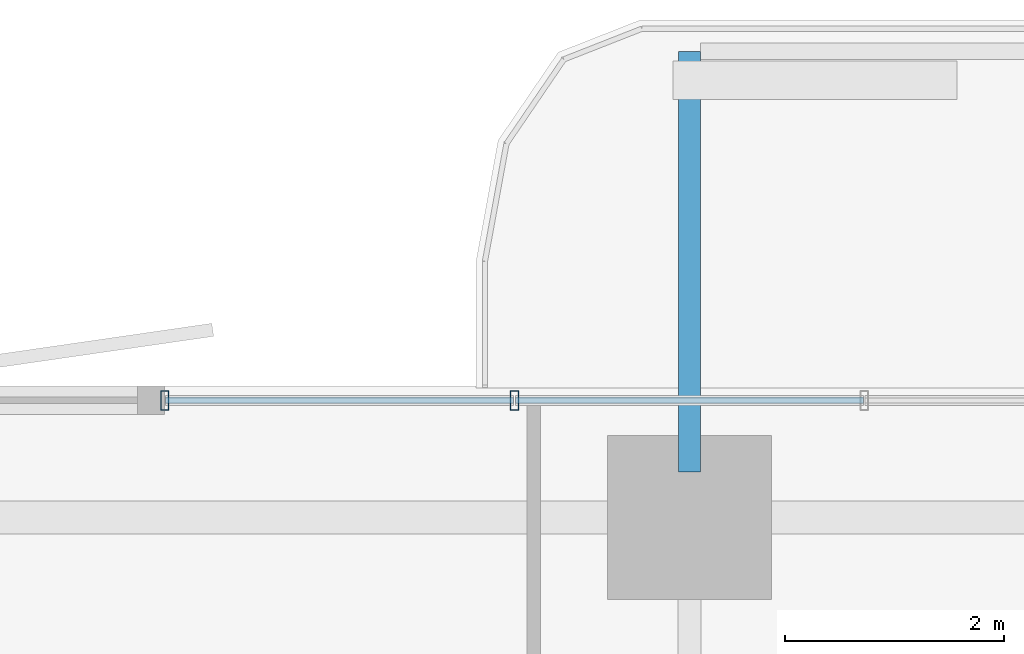
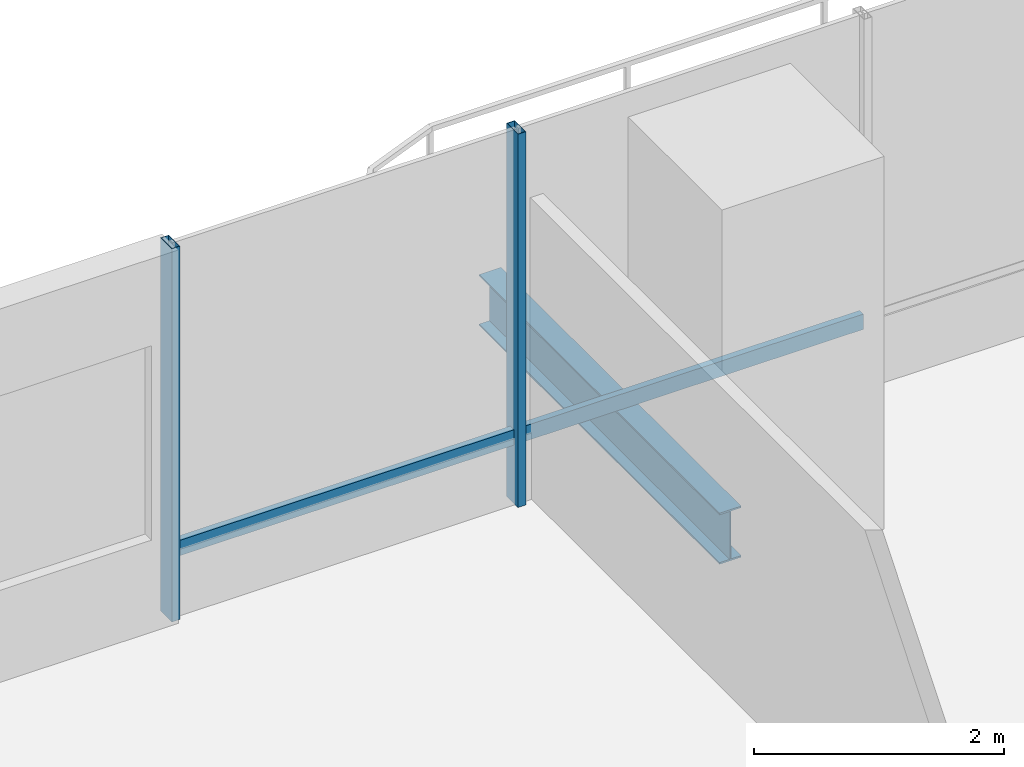
# One storey, part 11 of 23: 4 members, 1 beam, 1 element without a shape of its own.
"""IFC4 building model written with IfcOpenShell, lengths in metres."""

from ifc_helpers import new_model, si_unit, direction, frame, origin, origin_2d, place, context, subcontext, project, spatial, hollow_rectangle, i_section, extrude, material, layer, layer_set, material_profile, profile_set, type_object, element, aggregate, save


model = new_model("IFC4")

# Units and contexts
model_context = context("Model", 3, precision=1e-05, world=origin(), true_north=direction((0.0, 1.0)))
body_context = subcontext(model_context, "Body", "Model", "MODEL_VIEW")
ifc_project = project(units=[si_unit("LENGTHUNIT", "METRE"), si_unit("AREAUNIT", "SQUARE_METRE"), si_unit("VOLUMEUNIT", "CUBIC_METRE"), si_unit("PLANEANGLEUNIT", "RADIAN"), si_unit("MASSUNIT", "GRAM", prefix="KILO")], contexts=[model_context])

# Site, building, storey
site_placement = place(None, origin())
site = spatial("IfcSite", under=ifc_project, at=site_placement, CompositionType="ELEMENT")
building_placement = place(site_placement, origin())
building = spatial("IfcBuilding", under=site, at=building_placement, Name="Belovzor Exchange Tower", CompositionType="ELEMENT")
storey_placement = place(building_placement, frame((0.0, 0.0, 76.800048828125)))
storey = spatial("IfcBuildingStorey", under=building, at=storey_placement, Name="L18", CompositionType="ELEMENT", Elevation=76.800048828125)

# Beam
ifc_material_1 = material(Name="Steel S355", Category="steel")
ifc_material_profile_1 = material_profile(ifc_material_1, i_section(OverallWidth=0.199951171875, OverallDepth=0.5, WebThickness=0.01025390625, FlangeThickness=0.01611328125, at=origin_2d()))
ifc_profile_set_1 = profile_set([ifc_material_profile_1], Name="Steel S355")
beam_type = type_object("IfcBeamType", Name="Planted Balcony Cantilever Beam IPE 500", PredefinedType="BEAM", material=ifc_profile_set_1)
beam_placement = place(storey_placement, frame((28.800048828125, 55.9130859375, -0.5), z_axis=(0.0, 1.0, 0.0), x_axis=(-1.0, 0.0, 0.0)))
element("IfcBeam", 1, at=beam_placement, inside=storey, type_object=beam_type, Name="BC-500 Planted Balcony Cantilever Beam IPE 500", PredefinedType="BEAM", context=body_context, shape_type="SweptSolid", body=[
    extrude(i_section(OverallWidth=0.199951171875, OverallDepth=0.5, WebThickness=0.01025390625, FlangeThickness=0.01611328125, at=origin_2d()), origin(), (0.0, 0.0, 1.0), 3.849853515625),
])

# Curtain wall, members
ifc_material_2 = material(Name="Anodised Aluminium Framing", Category="aluminium")
ifc_layer = layer(ifc_material_2, 0.179931640625)
ifc_layer_set = layer_set([ifc_layer], Name="Anodised Aluminium Framing")
curtain_wall_type = type_object("IfcCurtainWallType", Name="Recessed Loggia Low-Iron Triple-Glazed Curtain Wall", PredefinedType="NOTDEFINED", material=ifc_layer_set)
curtain_wall_placement = place(storey_placement, origin())
curtain_wall = element("IfcCurtainWall", 2, at=curtain_wall_placement, inside=storey, type_object=curtain_wall_type, Name="CW3 Recessed Loggia Low-Iron Triple-Glazed Curtain Wall L18", PredefinedType="NOTDEFINED")
ifc_material_3 = material(Name="Steel S355", Category="steel")
ifc_material_profile_2 = material_profile(ifc_material_3, hollow_rectangle(XDim=0.074951171875, YDim=0.179931640625, WallThickness=0.0048828125, at=origin_2d()))
ifc_profile_set_2 = profile_set([ifc_material_profile_2], Name="Steel S355")
member_type_1 = type_object("IfcMemberType", Name="Thermally Broken Curtain Wall Mullion 180x75", PredefinedType="MULLION", material=ifc_profile_set_2)
member_1_placement = place(storey_placement, frame((24.0, 56.570068359375, 0.0), z_axis=(0.0, 0.0, 1.0), x_axis=(1.0, 0.0, 0.0)))
member_1 = element("IfcMember", 3, at=member_1_placement, type_object=member_type_1, Name="CW-M180 Curtain Wall Mullion 1", PredefinedType="MULLION", context=body_context, shape_type="SweptSolid", body=[
    extrude(hollow_rectangle(XDim=0.074951171875, YDim=0.179931640625, WallThickness=0.0048828125, at=origin_2d()), origin(), (0.0, 0.0, 1.0), 3.64990234375),
])
member_2_placement = place(storey_placement, frame((27.199951171875, 56.570068359375, 0.0), z_axis=(0.0, 0.0, 1.0), x_axis=(1.0, 0.0, 0.0)))
member_2 = element("IfcMember", 4, at=member_2_placement, type_object=member_type_1, Name="CW-M180 Curtain Wall Mullion 2", PredefinedType="MULLION", context=body_context, shape_type="SweptSolid", body=[
    extrude(hollow_rectangle(XDim=0.074951171875, YDim=0.179931640625, WallThickness=0.0048828125, at=origin_2d()), origin(), (0.0, 0.0, 1.0), 3.64990234375),
])
ifc_material_4 = material(Name="Steel S355", Category="steel")
ifc_material_profile_3 = material_profile(ifc_material_4, hollow_rectangle(XDim=0.06005859375, YDim=0.14990234375, WallThickness=0.00390625, at=origin_2d()))
ifc_profile_set_3 = profile_set([ifc_material_profile_3], Name="Steel S355")
member_type_2 = type_object("IfcMemberType", Name="Thermally Broken Curtain Wall Transom 150x60", PredefinedType="USERDEFINED", material=ifc_profile_set_3)
member_3_placement = place(storey_placement, frame((24.008056640625, 56.570068359375, 0.64990234375), z_axis=(1.0, 0.0, 0.0), x_axis=(0.0, 1.0, 0.0)))
member_3 = element("IfcMember", 5, at=member_3_placement, type_object=member_type_2, Name="CW-T150 Curtain Wall Transom 1", ObjectType="TRANSOM", PredefinedType="USERDEFINED", context=body_context, shape_type="SweptSolid", body=[
    extrude(hollow_rectangle(XDim=0.06005859375, YDim=0.14990234375, WallThickness=0.00390625, at=origin_2d()), origin(), (0.0, 0.0, 1.0), 3.183837890625),
])
member_4_placement = place(storey_placement, frame((27.2080078125, 56.570068359375, 0.64990234375), z_axis=(1.0, 0.0, 0.0), x_axis=(0.0, 1.0, 0.0)))
member_4 = element("IfcMember", 6, at=member_4_placement, type_object=member_type_2, Name="CW-T150 Curtain Wall Transom 2", ObjectType="TRANSOM", PredefinedType="USERDEFINED", context=body_context, shape_type="SweptSolid", body=[
    extrude(hollow_rectangle(XDim=0.06005859375, YDim=0.14990234375, WallThickness=0.00390625, at=origin_2d()), origin(), (0.0, 0.0, 1.0), 3.18408203125),
])
aggregate(curtain_wall, [member_1, member_2, member_3, member_4])

save(model, "model.ifc")
